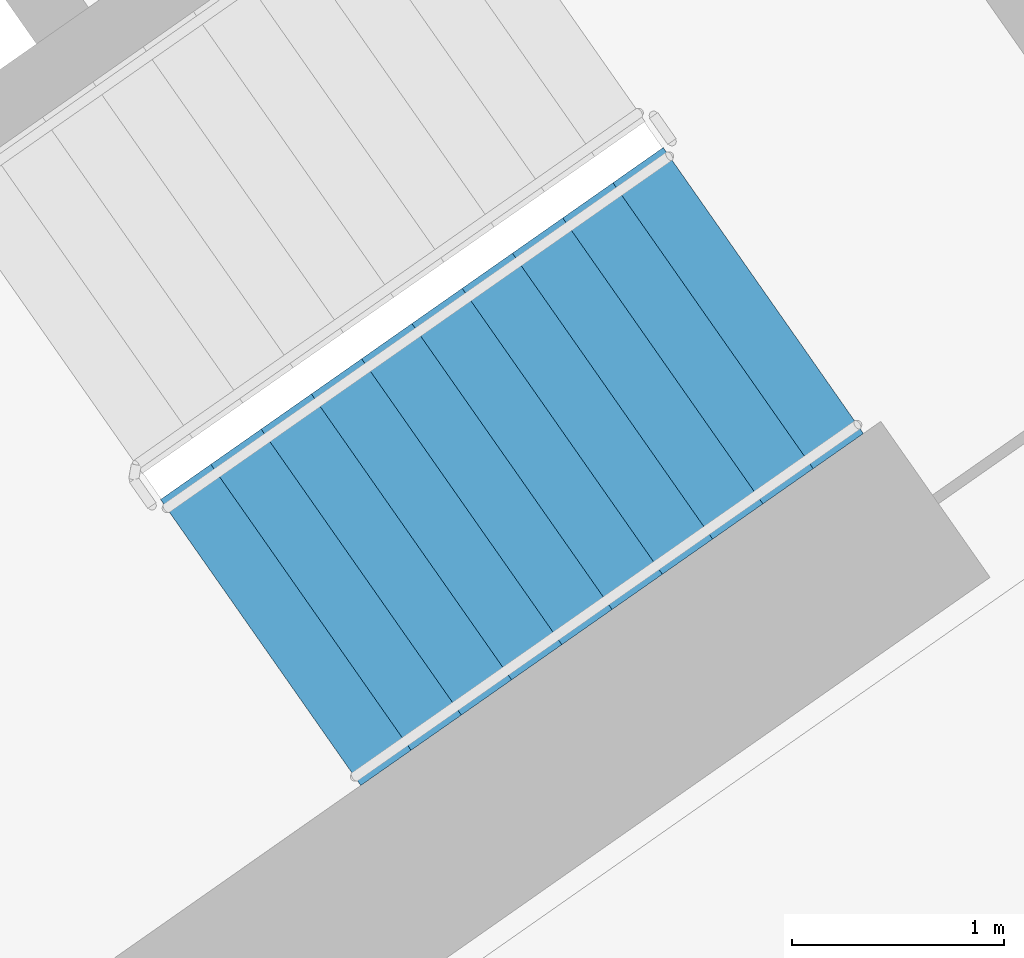
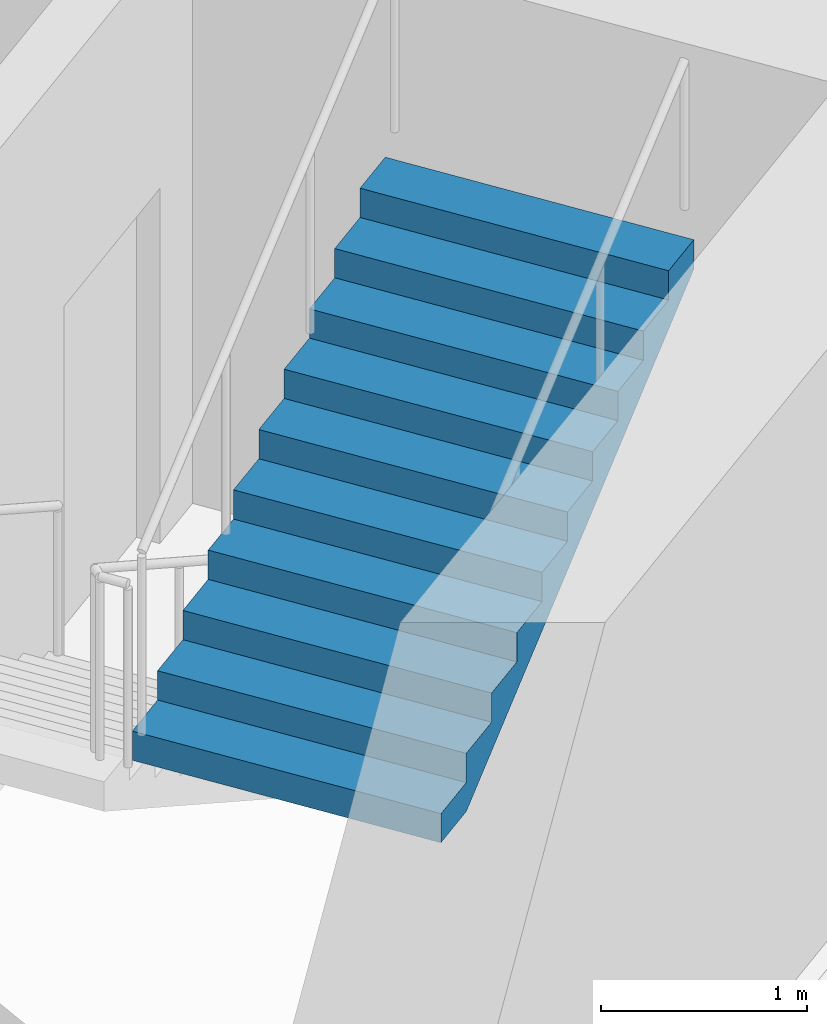
# One storey, part 16 of 30: 1 stair flight, 1 element without a shape of its own.
"""IFC4 building model written with IfcOpenShell, lengths in metres."""

from ifc_helpers import new_model, si_unit, direction, frame, origin, place, context, subcontext, project, spatial, faceted_brep, material, type_object, element, aggregate, save


model = new_model("IFC4")

# Units and contexts
model_context = context("Model", 3, precision=1e-05, world=origin(), true_north=direction((0.0, 1.0)))
body_context = subcontext(model_context, "Body", "Model", "MODEL_VIEW")
ifc_project = project(units=[si_unit("LENGTHUNIT", "METRE"), si_unit("AREAUNIT", "SQUARE_METRE"), si_unit("VOLUMEUNIT", "CUBIC_METRE"), si_unit("PLANEANGLEUNIT", "RADIAN"), si_unit("MASSUNIT", "GRAM", prefix="KILO")], contexts=[model_context])

# Site, building, storey
site_placement = place(None, origin())
site = spatial("IfcSite", under=ifc_project, at=site_placement, CompositionType="ELEMENT")
building_placement = place(site_placement, origin())
building = spatial("IfcBuilding", under=site, at=building_placement, Name="Qamariyya Broadcast Tower", CompositionType="ELEMENT")
storey_placement = place(building_placement, frame((0.0, 0.0, 98.699951171875)))
storey = spatial("IfcBuildingStorey", under=building, at=storey_placement, Name="L21", CompositionType="ELEMENT", Elevation=98.699951171875)

# Stair, stair flight
ifc_material = material(Name="Concrete C50/60", Category="concrete")
stair_type = type_object("IfcStairType", Name="Exit stair 22 risers of 173 mm", PredefinedType="HALF_TURN_STAIR", material=ifc_material)
stair_placement = place(storey_placement, origin())
stair = element("IfcStair", 1, at=stair_placement, inside=storey, type_object=stair_type, Name="L21 Stair E1", PredefinedType="HALF_TURN_STAIR")
stair_flight_type = type_object("IfcStairFlightType", Name="Exit stair flight 11 risers of 173 mm", PredefinedType="STRAIGHT", material=ifc_material)
stair_flight_placement = place(storey_placement, frame((44.693359375, -58.64599609375, 1.900146484375), z_axis=(0.0, 0.0, 1.0), x_axis=(0.819152044289, 0.573576436351, 0.0)))
stair_flight = element("IfcStairFlight", 2, at=stair_flight_placement, type_object=stair_flight_type, Name="ST-E1 flight 2", NumberOfRisers=11, NumberOfTreads=10, PredefinedType="STRAIGHT", RiserHeight=0.172727273, TreadLength=0.29, context=body_context, shape_type="Brep", body=[
    faceted_brep([(0.0, 0.824951171875, 0.0), (0.0, 0.824951171875, 0.172607421875), (0.2900390625, 0.824951171875, 0.172607421875), (0.2900390625, 0.824951171875, 0.345458984375), (0.580078125, 0.824951171875, 0.345458984375), (0.580078125, 0.824951171875, 0.51806640625), (0.8701171875, 0.824951171875, 0.51806640625), (0.8701171875, 0.824951171875, 0.69091796875), (1.159912109375, 0.824951171875, 0.69091796875), (1.159912109375, 0.824951171875, 0.863525390625), (1.449951171875, 0.824951171875, 0.863525390625), (1.449951171875, 0.824951171875, 1.036376953125), (1.739990234375, 0.824951171875, 1.036376953125), (1.739990234375, 0.824951171875, 1.208984375), (2.030029296875, 0.824951171875, 1.208984375), (2.030029296875, 0.824951171875, 1.3818359375), (2.320068359375, 0.824951171875, 1.3818359375), (2.320068359375, 0.824951171875, 1.554443359375), (2.610107421875, 0.824951171875, 1.554443359375), (2.610107421875, 0.824951171875, 1.727294921875), (2.89990234375, 0.824951171875, 1.727294921875), (2.89990234375, 0.824951171875, 1.552734375), (0.29296875, 0.824951171875, 0.0), (0.29296875, -0.824951171875, 0.0), (2.89990234375, -0.824951171875, 1.552734375), (2.89990234375, -0.824951171875, 1.727294921875), (2.610107421875, -0.824951171875, 1.727294921875), (2.610107421875, -0.824951171875, 1.554443359375), (2.320068359375, -0.824951171875, 1.554443359375), (2.320068359375, -0.824951171875, 1.3818359375), (2.030029296875, -0.824951171875, 1.3818359375), (2.030029296875, -0.824951171875, 1.208984375), (1.739990234375, -0.824951171875, 1.208984375), (1.739990234375, -0.824951171875, 1.036376953125), (1.449951171875, -0.824951171875, 1.036376953125), (1.449951171875, -0.824951171875, 0.863525390625), (1.159912109375, -0.824951171875, 0.863525390625), (1.159912109375, -0.824951171875, 0.69091796875), (0.8701171875, -0.824951171875, 0.69091796875), (0.8701171875, -0.824951171875, 0.51806640625), (0.580078125, -0.824951171875, 0.51806640625), (0.580078125, -0.824951171875, 0.345458984375), (0.2900390625, -0.824951171875, 0.345458984375), (0.2900390625, -0.824951171875, 0.172607421875), (0.0, -0.824951171875, 0.172607421875), (0.0, -0.824951171875, 0.0), (0.0, 0.10009765625, 0.0), (0.0, 0.086669921875, 0.0), (0.0, 0.0732421875, 0.0), (0.0, 0.06005859375, 0.0), (0.0, 0.046630859375, 0.0), (0.0, 0.033447265625, 0.0), (0.0, 0.02001953125, 0.0), (0.0, 0.006591796875, 0.0), (0.0, -0.006591796875, 0.0), (0.0, -0.02001953125, 0.0), (0.0, -0.033447265625, 0.0), (0.0, -0.046630859375, 0.0), (0.0, -0.06005859375, 0.0), (0.0, -0.0732421875, 0.0), (0.0, -0.086669921875, 0.0), (0.0, -0.10009765625, 0.0), (0.0, -0.10009765625, 0.172607421875), (0.0, -0.086669921875, 0.172607421875), (0.0, -0.0732421875, 0.172607421875), (0.0, -0.06005859375, 0.172607421875), (0.0, -0.046630859375, 0.172607421875), (0.0, -0.033447265625, 0.172607421875), (0.0, -0.02001953125, 0.172607421875), (0.0, -0.006591796875, 0.172607421875), (0.0, 0.006591796875, 0.172607421875), (0.0, 0.02001953125, 0.172607421875), (0.0, 0.033447265625, 0.172607421875), (0.0, 0.046630859375, 0.172607421875), (0.0, 0.06005859375, 0.172607421875), (0.0, 0.0732421875, 0.172607421875), (0.0, 0.086669921875, 0.172607421875), (0.0, 0.10009765625, 0.172607421875), (0.2900390625, -0.10009765625, 0.172607421875), (0.2900390625, -0.086669921875, 0.172607421875), (0.2900390625, -0.0732421875, 0.172607421875), (0.2900390625, -0.06005859375, 0.172607421875), (0.2900390625, -0.046630859375, 0.172607421875), (0.2900390625, -0.033447265625, 0.172607421875), (0.2900390625, -0.02001953125, 0.172607421875), (0.2900390625, -0.006591796875, 0.172607421875), (0.2900390625, 0.006591796875, 0.172607421875), (0.2900390625, 0.02001953125, 0.172607421875), (0.2900390625, 0.033447265625, 0.172607421875), (0.2900390625, 0.046630859375, 0.172607421875), (0.2900390625, 0.06005859375, 0.172607421875), (0.2900390625, 0.0732421875, 0.172607421875), (0.2900390625, 0.086669921875, 0.172607421875), (0.2900390625, 0.10009765625, 0.172607421875), (0.2900390625, -0.10009765625, 0.345458984375), (0.2900390625, -0.086669921875, 0.345458984375), (0.2900390625, -0.0732421875, 0.345458984375), (0.2900390625, -0.06005859375, 0.345458984375), (0.2900390625, -0.046630859375, 0.345458984375), (0.2900390625, -0.033447265625, 0.345458984375), (0.2900390625, -0.02001953125, 0.345458984375), (0.2900390625, -0.006591796875, 0.345458984375), (0.2900390625, 0.006591796875, 0.345458984375), (0.2900390625, 0.02001953125, 0.345458984375), (0.2900390625, 0.033447265625, 0.345458984375), (0.2900390625, 0.046630859375, 0.345458984375), (0.2900390625, 0.06005859375, 0.345458984375), (0.2900390625, 0.0732421875, 0.345458984375), (0.2900390625, 0.086669921875, 0.345458984375), (0.2900390625, 0.10009765625, 0.345458984375), (0.580078125, -0.10009765625, 0.345458984375), (0.580078125, -0.086669921875, 0.345458984375), (0.580078125, -0.0732421875, 0.345458984375), (0.580078125, -0.06005859375, 0.345458984375), (0.580078125, -0.046630859375, 0.345458984375), (0.580078125, -0.033447265625, 0.345458984375), (0.580078125, -0.02001953125, 0.345458984375), (0.580078125, -0.006591796875, 0.345458984375), (0.580078125, 0.006591796875, 0.345458984375), (0.580078125, 0.02001953125, 0.345458984375), (0.580078125, 0.033447265625, 0.345458984375), (0.580078125, 0.046630859375, 0.345458984375), (0.580078125, 0.06005859375, 0.345458984375), (0.580078125, 0.0732421875, 0.345458984375), (0.580078125, 0.086669921875, 0.345458984375), (0.580078125, 0.10009765625, 0.345458984375), (0.580078125, -0.10009765625, 0.51806640625), (0.580078125, -0.086669921875, 0.51806640625), (0.580078125, -0.0732421875, 0.51806640625), (0.580078125, -0.06005859375, 0.51806640625), (0.580078125, -0.046630859375, 0.51806640625), (0.580078125, -0.033447265625, 0.51806640625), (0.580078125, -0.02001953125, 0.51806640625), (0.580078125, -0.006591796875, 0.51806640625), (0.580078125, 0.006591796875, 0.51806640625), (0.580078125, 0.02001953125, 0.51806640625), (0.580078125, 0.033447265625, 0.51806640625), (0.580078125, 0.046630859375, 0.51806640625), (0.580078125, 0.06005859375, 0.51806640625), (0.580078125, 0.0732421875, 0.51806640625), (0.580078125, 0.086669921875, 0.51806640625), (0.580078125, 0.10009765625, 0.51806640625), (0.8701171875, -0.10009765625, 0.51806640625), (0.8701171875, -0.086669921875, 0.51806640625), (0.8701171875, -0.0732421875, 0.51806640625), (0.8701171875, -0.06005859375, 0.51806640625), (0.8701171875, -0.046630859375, 0.51806640625), (0.8701171875, -0.033447265625, 0.51806640625), (0.8701171875, -0.02001953125, 0.51806640625), (0.8701171875, -0.006591796875, 0.51806640625), (0.8701171875, 0.006591796875, 0.51806640625), (0.8701171875, 0.02001953125, 0.51806640625), (0.8701171875, 0.033447265625, 0.51806640625), (0.8701171875, 0.046630859375, 0.51806640625), (0.8701171875, 0.06005859375, 0.51806640625), (0.8701171875, 0.0732421875, 0.51806640625), (0.8701171875, 0.086669921875, 0.51806640625), (0.8701171875, 0.10009765625, 0.51806640625), (0.8701171875, -0.10009765625, 0.69091796875), (0.8701171875, -0.086669921875, 0.69091796875), (0.8701171875, -0.0732421875, 0.69091796875), (0.8701171875, -0.06005859375, 0.69091796875), (0.8701171875, -0.046630859375, 0.69091796875), (0.8701171875, -0.033447265625, 0.69091796875), (0.8701171875, -0.02001953125, 0.69091796875), (0.8701171875, -0.006591796875, 0.69091796875), (0.8701171875, 0.006591796875, 0.69091796875), (0.8701171875, 0.02001953125, 0.69091796875), (0.8701171875, 0.033447265625, 0.69091796875), (0.8701171875, 0.046630859375, 0.69091796875), (0.8701171875, 0.06005859375, 0.69091796875), (0.8701171875, 0.0732421875, 0.69091796875), (0.8701171875, 0.086669921875, 0.69091796875), (0.8701171875, 0.10009765625, 0.69091796875), (1.159912109375, -0.10009765625, 0.69091796875), (1.159912109375, -0.086669921875, 0.69091796875), (1.159912109375, -0.0732421875, 0.69091796875), (1.159912109375, -0.06005859375, 0.69091796875), (1.159912109375, -0.046630859375, 0.69091796875), (1.159912109375, -0.033447265625, 0.69091796875), (1.159912109375, -0.02001953125, 0.69091796875), (1.159912109375, -0.006591796875, 0.69091796875), (1.159912109375, 0.006591796875, 0.69091796875), (1.159912109375, 0.02001953125, 0.69091796875), (1.159912109375, 0.033447265625, 0.69091796875), (1.159912109375, 0.046630859375, 0.69091796875), (1.159912109375, 0.06005859375, 0.69091796875), (1.159912109375, 0.0732421875, 0.69091796875), (1.159912109375, 0.086669921875, 0.69091796875), (1.159912109375, 0.10009765625, 0.69091796875), (1.159912109375, -0.10009765625, 0.863525390625), (1.159912109375, -0.086669921875, 0.863525390625), (1.159912109375, -0.0732421875, 0.863525390625), (1.159912109375, -0.06005859375, 0.863525390625), (1.159912109375, -0.046630859375, 0.863525390625), (1.159912109375, -0.033447265625, 0.863525390625), (1.159912109375, -0.02001953125, 0.863525390625), (1.159912109375, -0.006591796875, 0.863525390625), (1.159912109375, 0.006591796875, 0.863525390625), (1.159912109375, 0.02001953125, 0.863525390625), (1.159912109375, 0.033447265625, 0.863525390625), (1.159912109375, 0.046630859375, 0.863525390625), (1.159912109375, 0.06005859375, 0.863525390625), (1.159912109375, 0.0732421875, 0.863525390625), (1.159912109375, 0.086669921875, 0.863525390625), (1.159912109375, 0.10009765625, 0.863525390625), (1.449951171875, -0.10009765625, 0.863525390625), (1.449951171875, -0.086669921875, 0.863525390625), (1.449951171875, -0.0732421875, 0.863525390625), (1.449951171875, -0.06005859375, 0.863525390625), (1.449951171875, -0.046630859375, 0.863525390625), (1.449951171875, -0.033447265625, 0.863525390625), (1.449951171875, -0.02001953125, 0.863525390625), (1.449951171875, -0.006591796875, 0.863525390625), (1.449951171875, 0.006591796875, 0.863525390625), (1.449951171875, 0.02001953125, 0.863525390625), (1.449951171875, 0.033447265625, 0.863525390625), (1.449951171875, 0.046630859375, 0.863525390625), (1.449951171875, 0.06005859375, 0.863525390625), (1.449951171875, 0.0732421875, 0.863525390625), (1.449951171875, 0.086669921875, 0.863525390625), (1.449951171875, 0.10009765625, 0.863525390625), (1.449951171875, -0.10009765625, 1.036376953125), (1.449951171875, -0.086669921875, 1.036376953125), (1.449951171875, -0.0732421875, 1.036376953125), (1.449951171875, -0.06005859375, 1.036376953125), (1.449951171875, -0.046630859375, 1.036376953125), (1.449951171875, -0.033447265625, 1.036376953125), (1.449951171875, -0.02001953125, 1.036376953125), (1.449951171875, -0.006591796875, 1.036376953125), (1.449951171875, 0.006591796875, 1.036376953125), (1.449951171875, 0.02001953125, 1.036376953125), (1.449951171875, 0.033447265625, 1.036376953125), (1.449951171875, 0.046630859375, 1.036376953125), (1.449951171875, 0.06005859375, 1.036376953125), (1.449951171875, 0.0732421875, 1.036376953125), (1.449951171875, 0.086669921875, 1.036376953125), (1.449951171875, 0.10009765625, 1.036376953125), (1.739990234375, -0.10009765625, 1.036376953125), (1.739990234375, -0.086669921875, 1.036376953125), (1.739990234375, -0.0732421875, 1.036376953125), (1.739990234375, -0.06005859375, 1.036376953125), (1.739990234375, -0.046630859375, 1.036376953125), (1.739990234375, -0.033447265625, 1.036376953125), (1.739990234375, -0.02001953125, 1.036376953125), (1.739990234375, -0.006591796875, 1.036376953125), (1.739990234375, 0.006591796875, 1.036376953125), (1.739990234375, 0.02001953125, 1.036376953125), (1.739990234375, 0.033447265625, 1.036376953125), (1.739990234375, 0.046630859375, 1.036376953125), (1.739990234375, 0.06005859375, 1.036376953125), (1.739990234375, 0.0732421875, 1.036376953125), (1.739990234375, 0.086669921875, 1.036376953125), (1.739990234375, 0.10009765625, 1.036376953125), (1.739990234375, -0.10009765625, 1.208984375), (1.739990234375, -0.086669921875, 1.208984375), (1.739990234375, -0.0732421875, 1.208984375), (1.739990234375, -0.06005859375, 1.208984375), (1.739990234375, -0.046630859375, 1.208984375), (1.739990234375, -0.033447265625, 1.208984375), (1.739990234375, -0.02001953125, 1.208984375), (1.739990234375, -0.006591796875, 1.208984375), (1.739990234375, 0.006591796875, 1.208984375), (1.739990234375, 0.02001953125, 1.208984375), (1.739990234375, 0.033447265625, 1.208984375), (1.739990234375, 0.046630859375, 1.208984375), (1.739990234375, 0.06005859375, 1.208984375), (1.739990234375, 0.0732421875, 1.208984375), (1.739990234375, 0.086669921875, 1.208984375), (1.739990234375, 0.10009765625, 1.208984375), (2.030029296875, -0.10009765625, 1.208984375), (2.030029296875, -0.086669921875, 1.208984375), (2.030029296875, -0.0732421875, 1.208984375), (2.030029296875, -0.06005859375, 1.208984375), (2.030029296875, -0.046630859375, 1.208984375), (2.030029296875, -0.033447265625, 1.208984375), (2.030029296875, -0.02001953125, 1.208984375), (2.030029296875, -0.006591796875, 1.208984375), (2.030029296875, 0.006591796875, 1.208984375), (2.030029296875, 0.02001953125, 1.208984375), (2.030029296875, 0.033447265625, 1.208984375), (2.030029296875, 0.046630859375, 1.208984375), (2.030029296875, 0.06005859375, 1.208984375), (2.030029296875, 0.0732421875, 1.208984375), (2.030029296875, 0.086669921875, 1.208984375), (2.030029296875, 0.10009765625, 1.208984375), (2.030029296875, -0.10009765625, 1.3818359375), (2.030029296875, -0.086669921875, 1.3818359375), (2.030029296875, -0.0732421875, 1.3818359375), (2.030029296875, -0.06005859375, 1.3818359375), (2.030029296875, -0.046630859375, 1.3818359375), (2.030029296875, -0.033447265625, 1.3818359375), (2.030029296875, -0.02001953125, 1.3818359375), (2.030029296875, -0.006591796875, 1.3818359375), (2.030029296875, 0.006591796875, 1.3818359375), (2.030029296875, 0.02001953125, 1.3818359375), (2.030029296875, 0.033447265625, 1.3818359375), (2.030029296875, 0.046630859375, 1.3818359375), (2.030029296875, 0.06005859375, 1.3818359375), (2.030029296875, 0.0732421875, 1.3818359375), (2.030029296875, 0.086669921875, 1.3818359375), (2.030029296875, 0.10009765625, 1.3818359375), (2.320068359375, -0.10009765625, 1.3818359375), (2.320068359375, -0.086669921875, 1.3818359375), (2.320068359375, -0.0732421875, 1.3818359375), (2.320068359375, -0.06005859375, 1.3818359375), (2.320068359375, -0.046630859375, 1.3818359375), (2.320068359375, -0.033447265625, 1.3818359375), (2.320068359375, -0.02001953125, 1.3818359375), (2.320068359375, -0.006591796875, 1.3818359375), (2.320068359375, 0.006591796875, 1.3818359375), (2.320068359375, 0.02001953125, 1.3818359375), (2.320068359375, 0.033447265625, 1.3818359375), (2.320068359375, 0.046630859375, 1.3818359375), (2.320068359375, 0.06005859375, 1.3818359375), (2.320068359375, 0.0732421875, 1.3818359375), (2.320068359375, 0.086669921875, 1.3818359375), (2.320068359375, 0.10009765625, 1.3818359375), (2.320068359375, -0.10009765625, 1.554443359375), (2.320068359375, -0.086669921875, 1.554443359375), (2.320068359375, -0.0732421875, 1.554443359375), (2.320068359375, -0.06005859375, 1.554443359375), (2.320068359375, -0.046630859375, 1.554443359375), (2.320068359375, -0.033447265625, 1.554443359375), (2.320068359375, -0.02001953125, 1.554443359375), (2.320068359375, -0.006591796875, 1.554443359375), (2.320068359375, 0.006591796875, 1.554443359375), (2.320068359375, 0.02001953125, 1.554443359375), (2.320068359375, 0.033447265625, 1.554443359375), (2.320068359375, 0.046630859375, 1.554443359375), (2.320068359375, 0.06005859375, 1.554443359375), (2.320068359375, 0.0732421875, 1.554443359375), (2.320068359375, 0.086669921875, 1.554443359375), (2.320068359375, 0.10009765625, 1.554443359375), (2.610107421875, -0.10009765625, 1.554443359375), (2.610107421875, -0.086669921875, 1.554443359375), (2.610107421875, -0.0732421875, 1.554443359375), (2.610107421875, -0.06005859375, 1.554443359375), (2.610107421875, -0.046630859375, 1.554443359375), (2.610107421875, -0.033447265625, 1.554443359375), (2.610107421875, -0.02001953125, 1.554443359375), (2.610107421875, -0.006591796875, 1.554443359375), (2.610107421875, 0.006591796875, 1.554443359375), (2.610107421875, 0.02001953125, 1.554443359375), (2.610107421875, 0.033447265625, 1.554443359375), (2.610107421875, 0.046630859375, 1.554443359375), (2.610107421875, 0.06005859375, 1.554443359375), (2.610107421875, 0.0732421875, 1.554443359375), (2.610107421875, 0.086669921875, 1.554443359375), (2.610107421875, 0.10009765625, 1.554443359375), (2.610107421875, -0.10009765625, 1.727294921875), (2.610107421875, -0.086669921875, 1.727294921875), (2.610107421875, -0.0732421875, 1.727294921875), (2.610107421875, -0.06005859375, 1.727294921875), (2.610107421875, -0.046630859375, 1.727294921875), (2.610107421875, -0.033447265625, 1.727294921875), (2.610107421875, -0.02001953125, 1.727294921875), (2.610107421875, -0.006591796875, 1.727294921875), (2.610107421875, 0.006591796875, 1.727294921875), (2.610107421875, 0.02001953125, 1.727294921875), (2.610107421875, 0.033447265625, 1.727294921875), (2.610107421875, 0.046630859375, 1.727294921875), (2.610107421875, 0.06005859375, 1.727294921875), (2.610107421875, 0.0732421875, 1.727294921875), (2.610107421875, 0.086669921875, 1.727294921875), (2.610107421875, 0.10009765625, 1.727294921875), (2.89990234375, -0.10009765625, 1.727294921875), (2.89990234375, -0.086669921875, 1.727294921875), (2.89990234375, -0.0732421875, 1.727294921875), (2.89990234375, -0.06005859375, 1.727294921875), (2.89990234375, -0.046630859375, 1.727294921875), (2.89990234375, -0.033447265625, 1.727294921875), (2.89990234375, -0.02001953125, 1.727294921875), (2.89990234375, -0.006591796875, 1.727294921875), (2.89990234375, 0.006591796875, 1.727294921875), (2.89990234375, 0.02001953125, 1.727294921875), (2.89990234375, 0.033447265625, 1.727294921875), (2.89990234375, 0.046630859375, 1.727294921875), (2.89990234375, 0.06005859375, 1.727294921875), (2.89990234375, 0.0732421875, 1.727294921875), (2.89990234375, 0.086669921875, 1.727294921875), (2.89990234375, 0.10009765625, 1.727294921875), (2.89990234375, -0.10009765625, 1.552734375), (2.89990234375, -0.086669921875, 1.552734375), (2.89990234375, -0.0732421875, 1.552734375), (2.89990234375, -0.06005859375, 1.552734375), (2.89990234375, -0.046630859375, 1.552734375), (2.89990234375, -0.033447265625, 1.552734375), (2.89990234375, -0.02001953125, 1.552734375), (2.89990234375, -0.006591796875, 1.552734375), (2.89990234375, 0.006591796875, 1.552734375), (2.89990234375, 0.02001953125, 1.552734375), (2.89990234375, 0.033447265625, 1.552734375), (2.89990234375, 0.046630859375, 1.552734375), (2.89990234375, 0.06005859375, 1.552734375), (2.89990234375, 0.0732421875, 1.552734375), (2.89990234375, 0.086669921875, 1.552734375), (2.89990234375, 0.10009765625, 1.552734375), (0.29296875, -0.10009765625, 0.0), (0.29296875, -0.086669921875, 0.0), (0.29296875, -0.0732421875, 0.0), (0.29296875, -0.06005859375, 0.0), (0.29296875, -0.046630859375, 0.0), (0.29296875, -0.033447265625, 0.0), (0.29296875, -0.02001953125, 0.0), (0.29296875, -0.006591796875, 0.0), (0.29296875, 0.006591796875, 0.0), (0.29296875, 0.02001953125, 0.0), (0.29296875, 0.033447265625, 0.0), (0.29296875, 0.046630859375, 0.0), (0.29296875, 0.06005859375, 0.0), (0.29296875, 0.0732421875, 0.0), (0.29296875, 0.086669921875, 0.0), (0.29296875, 0.10009765625, 0.0)], [[[0, 1, 2, 3, 4, 5, 6, 7, 8, 9, 10, 11, 12, 13, 14, 15, 16, 17, 18, 19, 20, 21, 22]], [[23, 24, 25, 26, 27, 28, 29, 30, 31, 32, 33, 34, 35, 36, 37, 38, 39, 40, 41, 42, 43, 44, 45]], [[0, 46, 47, 48, 49, 50, 51, 52, 53, 54, 55, 56, 57, 58, 59, 60, 61, 45, 44, 62, 63, 64, 65, 66, 67, 68, 69, 70, 71, 72, 73, 74, 75, 76, 77, 1]], [[1, 77, 76, 75, 74, 73, 72, 71, 70, 69, 68, 67, 66, 65, 64, 63, 62, 44, 43, 78, 79, 80, 81, 82, 83, 84, 85, 86, 87, 88, 89, 90, 91, 92, 93, 2]], [[2, 93, 92, 91, 90, 89, 88, 87, 86, 85, 84, 83, 82, 81, 80, 79, 78, 43, 42, 94, 95, 96, 97, 98, 99, 100, 101, 102, 103, 104, 105, 106, 107, 108, 109, 3]], [[3, 109, 108, 107, 106, 105, 104, 103, 102, 101, 100, 99, 98, 97, 96, 95, 94, 42, 41, 110, 111, 112, 113, 114, 115, 116, 117, 118, 119, 120, 121, 122, 123, 124, 125, 4]], [[4, 125, 124, 123, 122, 121, 120, 119, 118, 117, 116, 115, 114, 113, 112, 111, 110, 41, 40, 126, 127, 128, 129, 130, 131, 132, 133, 134, 135, 136, 137, 138, 139, 140, 141, 5]], [[5, 141, 140, 139, 138, 137, 136, 135, 134, 133, 132, 131, 130, 129, 128, 127, 126, 40, 39, 142, 143, 144, 145, 146, 147, 148, 149, 150, 151, 152, 153, 154, 155, 156, 157, 6]], [[6, 157, 156, 155, 154, 153, 152, 151, 150, 149, 148, 147, 146, 145, 144, 143, 142, 39, 38, 158, 159, 160, 161, 162, 163, 164, 165, 166, 167, 168, 169, 170, 171, 172, 173, 7]], [[7, 173, 172, 171, 170, 169, 168, 167, 166, 165, 164, 163, 162, 161, 160, 159, 158, 38, 37, 174, 175, 176, 177, 178, 179, 180, 181, 182, 183, 184, 185, 186, 187, 188, 189, 8]], [[8, 189, 188, 187, 186, 185, 184, 183, 182, 181, 180, 179, 178, 177, 176, 175, 174, 37, 36, 190, 191, 192, 193, 194, 195, 196, 197, 198, 199, 200, 201, 202, 203, 204, 205, 9]], [[9, 205, 204, 203, 202, 201, 200, 199, 198, 197, 196, 195, 194, 193, 192, 191, 190, 36, 35, 206, 207, 208, 209, 210, 211, 212, 213, 214, 215, 216, 217, 218, 219, 220, 221, 10]], [[10, 221, 220, 219, 218, 217, 216, 215, 214, 213, 212, 211, 210, 209, 208, 207, 206, 35, 34, 222, 223, 224, 225, 226, 227, 228, 229, 230, 231, 232, 233, 234, 235, 236, 237, 11]], [[11, 237, 236, 235, 234, 233, 232, 231, 230, 229, 228, 227, 226, 225, 224, 223, 222, 34, 33, 238, 239, 240, 241, 242, 243, 244, 245, 246, 247, 248, 249, 250, 251, 252, 253, 12]], [[12, 253, 252, 251, 250, 249, 248, 247, 246, 245, 244, 243, 242, 241, 240, 239, 238, 33, 32, 254, 255, 256, 257, 258, 259, 260, 261, 262, 263, 264, 265, 266, 267, 268, 269, 13]], [[13, 269, 268, 267, 266, 265, 264, 263, 262, 261, 260, 259, 258, 257, 256, 255, 254, 32, 31, 270, 271, 272, 273, 274, 275, 276, 277, 278, 279, 280, 281, 282, 283, 284, 285, 14]], [[14, 285, 284, 283, 282, 281, 280, 279, 278, 277, 276, 275, 274, 273, 272, 271, 270, 31, 30, 286, 287, 288, 289, 290, 291, 292, 293, 294, 295, 296, 297, 298, 299, 300, 301, 15]], [[15, 301, 300, 299, 298, 297, 296, 295, 294, 293, 292, 291, 290, 289, 288, 287, 286, 30, 29, 302, 303, 304, 305, 306, 307, 308, 309, 310, 311, 312, 313, 314, 315, 316, 317, 16]], [[16, 317, 316, 315, 314, 313, 312, 311, 310, 309, 308, 307, 306, 305, 304, 303, 302, 29, 28, 318, 319, 320, 321, 322, 323, 324, 325, 326, 327, 328, 329, 330, 331, 332, 333, 17]], [[17, 333, 332, 331, 330, 329, 328, 327, 326, 325, 324, 323, 322, 321, 320, 319, 318, 28, 27, 334, 335, 336, 337, 338, 339, 340, 341, 342, 343, 344, 345, 346, 347, 348, 349, 18]], [[18, 349, 348, 347, 346, 345, 344, 343, 342, 341, 340, 339, 338, 337, 336, 335, 334, 27, 26, 350, 351, 352, 353, 354, 355, 356, 357, 358, 359, 360, 361, 362, 363, 364, 365, 19]], [[19, 365, 364, 363, 362, 361, 360, 359, 358, 357, 356, 355, 354, 353, 352, 351, 350, 26, 25, 366, 367, 368, 369, 370, 371, 372, 373, 374, 375, 376, 377, 378, 379, 380, 381, 20]], [[20, 381, 380, 379, 378, 377, 376, 375, 374, 373, 372, 371, 370, 369, 368, 367, 366, 25, 24, 382, 383, 384, 385, 386, 387, 388, 389, 390, 391, 392, 393, 394, 395, 396, 397, 21]], [[21, 397, 396, 395, 394, 393, 392, 391, 390, 389, 388, 387, 386, 385, 384, 383, 382, 24, 23, 398, 399, 400, 401, 402, 403, 404, 405, 406, 407, 408, 409, 410, 411, 412, 413, 22]], [[22, 413, 412, 411, 410, 409, 408, 407, 406, 405, 404, 403, 402, 401, 400, 399, 398, 23, 45, 61, 60, 59, 58, 57, 56, 55, 54, 53, 52, 51, 50, 49, 48, 47, 46, 0]]]),
])
aggregate(stair, [stair_flight])

save(model, "model.ifc")
